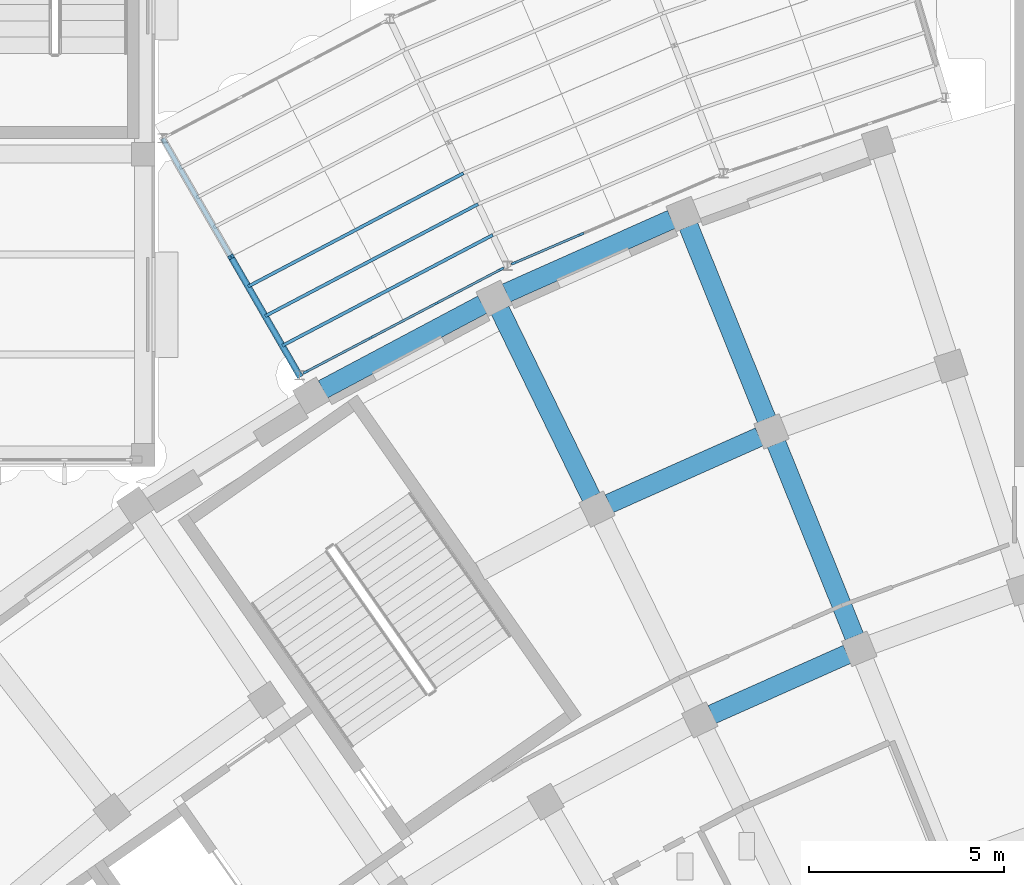
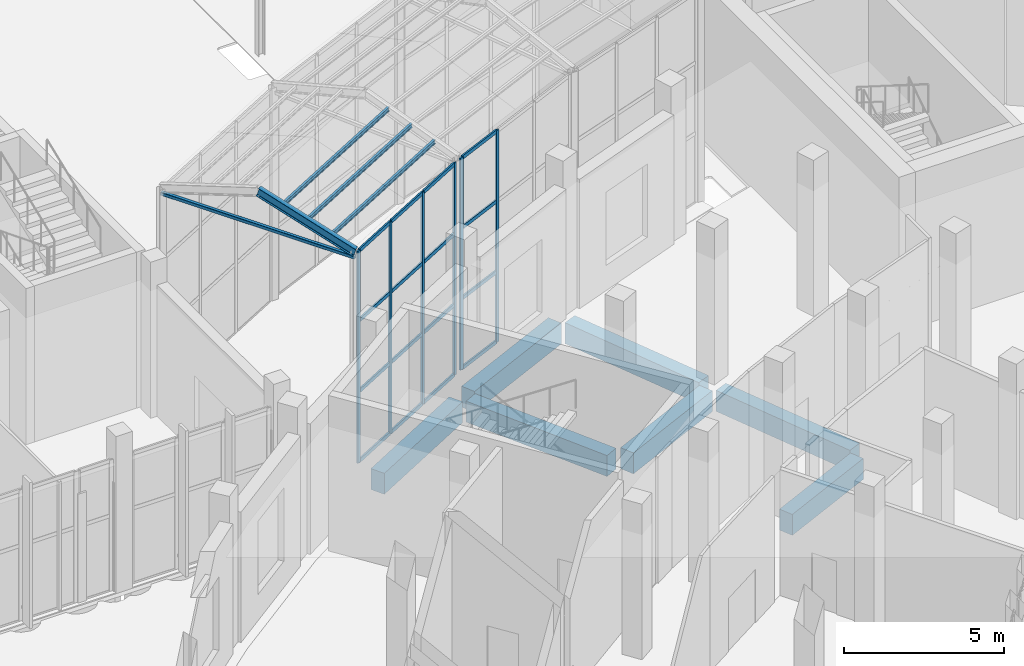
# One storey, part 27 of 155: 25 members, 9 beams, 2 elements without a shape of their own.
"""IFC4 building model written with IfcOpenShell, lengths in metres."""

from ifc_helpers import new_model, si_unit, direction, frame, origin, origin_2d, place, context, subcontext, project, spatial, rectangle, hollow_rectangle, i_section, extrude, material, layer, layer_set, material_profile, profile_set, type_object, element, aggregate, save


model = new_model("IFC4")

# Units and contexts
model_context = context("Model", 3, precision=1e-05, world=origin(), true_north=direction((0.0, 1.0)))
body_context = subcontext(model_context, "Body", "Model", "MODEL_VIEW")
ifc_project = project(units=[si_unit("LENGTHUNIT", "METRE"), si_unit("AREAUNIT", "SQUARE_METRE"), si_unit("VOLUMEUNIT", "CUBIC_METRE"), si_unit("PLANEANGLEUNIT", "RADIAN"), si_unit("MASSUNIT", "GRAM", prefix="KILO")], contexts=[model_context])

# Site, building, storey
site_placement = place(None, origin())
site = spatial("IfcSite", under=ifc_project, at=site_placement, CompositionType="ELEMENT")
building_placement = place(site_placement, origin())
building = spatial("IfcBuilding", under=site, at=building_placement, Name="Lunette Opera House", CompositionType="ELEMENT")
storey_placement = place(building_placement, origin())
storey = spatial("IfcBuildingStorey", under=building, at=storey_placement, Name="L00", CompositionType="ELEMENT", Elevation=0.0)

# Curtain wall, members
ifc_material_1 = material(Name="Aluminium", Category="aluminium")
ifc_layer = layer(ifc_material_1, 0.139892578125)
ifc_layer_set = layer_set([ifc_layer], Name="Aluminium")
curtain_wall_type = type_object("IfcCurtainWallType", Name="PASSAGE CURTAIN WALL", PredefinedType="NOTDEFINED", material=ifc_layer_set)
curtain_wall_1_placement = place(storey_placement, origin())
curtain_wall_1 = element("IfcCurtainWall", 1, at=curtain_wall_1_placement, inside=storey, type_object=curtain_wall_type, Name="Passage Curtain Wall WI1 L00", PredefinedType="NOTDEFINED")
ifc_material_2 = material(Name="Aluminium", Category="aluminium")
ifc_material_profile_1 = material_profile(ifc_material_2, rectangle(XDim=0.06005859375, YDim=0.139892578125, at=origin_2d()), Name="MULLION 60 X 140")
ifc_profile_set_1 = profile_set([ifc_material_profile_1], Name="Aluminium")
member_type_1 = type_object("IfcMemberType", Name="MULLION 60 X 140", PredefinedType="MULLION", material=ifc_profile_set_1)
member_1_placement = place(storey_placement, frame((57.859619140625, 66.421875, 0.0), z_axis=(0.0, 0.0, 1.0), x_axis=(-0.465530027508, 0.885032086135, 0.0)))
member_1 = element("IfcMember", 2, at=member_1_placement, type_object=member_type_1, Name="PP-X2013 mullion 1", PredefinedType="MULLION", context=body_context, shape_type="SweptSolid", body=[
    extrude(rectangle(XDim=0.06005859375, YDim=0.139892578125, at=origin_2d()), origin(), (0.0, 0.0, 1.0), 8.10009765625),
])
member_2_placement = place(storey_placement, frame((59.5185546875, 67.294677734375, 0.0), z_axis=(0.0, 0.0, 1.0), x_axis=(-0.465530027508, 0.885032086135, 0.0)))
member_2 = element("IfcMember", 3, at=member_2_placement, type_object=member_type_1, Name="PP-X2013 mullion 2", PredefinedType="MULLION", context=body_context, shape_type="SweptSolid", body=[
    extrude(rectangle(XDim=0.06005859375, YDim=0.139892578125, at=origin_2d()), origin(), (0.0, 0.0, 1.0), 8.10009765625),
])
member_3_placement = place(storey_placement, frame((61.204345703125, 68.181396484375, 0.0), z_axis=(0.0, 0.0, 1.0), x_axis=(-0.465530027508, 0.885032086135, 0.0)))
member_3 = element("IfcMember", 4, at=member_3_placement, type_object=member_type_1, Name="PP-X2013 mullion 3", PredefinedType="MULLION", context=body_context, shape_type="SweptSolid", body=[
    extrude(rectangle(XDim=0.06005859375, YDim=0.139892578125, at=origin_2d()), origin(), (0.0, 0.0, 1.0), 8.10009765625),
])
member_4_placement = place(storey_placement, frame((62.863525390625, 69.053955078125, 0.0), z_axis=(0.0, 0.0, 1.0), x_axis=(-0.465530027508, 0.885032086135, 0.0)))
member_4 = element("IfcMember", 5, at=member_4_placement, type_object=member_type_1, Name="PP-X2013 mullion 4", PredefinedType="MULLION", context=body_context, shape_type="SweptSolid", body=[
    extrude(rectangle(XDim=0.06005859375, YDim=0.139892578125, at=origin_2d()), origin(), (0.0, 0.0, 1.0), 8.10009765625),
])

curtain_wall_2_placement = place(storey_placement, origin())
curtain_wall_2 = element("IfcCurtainWall", 6, at=curtain_wall_2_placement, inside=storey, type_object=curtain_wall_type, Name="Passage Curtain Wall WI2 L00", PredefinedType="NOTDEFINED")
member_5_placement = place(storey_placement, frame((63.1884765625, 69.208740234375, 0.0), z_axis=(0.0, 0.0, 1.0), x_axis=(-0.394806198015, 0.918764423565, 0.0)))
member_5 = element("IfcMember", 7, at=member_5_placement, type_object=member_type_1, Name="PP-X2014 mullion 1", PredefinedType="MULLION", context=body_context, shape_type="SweptSolid", body=[
    extrude(rectangle(XDim=0.06005859375, YDim=0.139892578125, at=origin_2d()), origin(), (0.0, 0.0, 1.0), 8.10009765625),
])
member_6_placement = place(storey_placement, frame((64.910888671875, 69.948974609375, 0.0), z_axis=(0.0, 0.0, 1.0), x_axis=(-0.394806198015, 0.918764423565, 0.0)))
member_6 = element("IfcMember", 8, at=member_6_placement, type_object=member_type_1, Name="PP-X2014 mullion 2", PredefinedType="MULLION", context=body_context, shape_type="SweptSolid", body=[
    extrude(rectangle(XDim=0.06005859375, YDim=0.139892578125, at=origin_2d()), origin(), (0.0, 0.0, 1.0), 8.10009765625),
])

# Members
ifc_material_3 = material(Name="Steel S355", Category="steel")
ifc_material_profile_2 = material_profile(ifc_material_3, i_section(OverallWidth=0.08203125, OverallDepth=0.159912109375, WebThickness=0.0048828125, FlangeThickness=0.00732421875, FilletRadius=0.009033203125, at=origin_2d()), Name="IPE 160")
ifc_profile_set_2 = profile_set([ifc_material_profile_2], Name="Steel S355")
member_type_2 = type_object("IfcMemberType", Name="PURLIN IPE 160", PredefinedType="PURLIN", material=ifc_profile_set_2)
member_7_placement = place(storey_placement, frame((57.262939453125, 67.095947265625, 8.47509765625), z_axis=(0.88499656983, 0.465597542293, 0.0), x_axis=(-0.465597542293, 0.88499656983, 0.0)))
element("IfcMember", 9, at=member_7_placement, inside=storey, type_object=member_type_2, Name="mem-PP-L00-PU1A1", PredefinedType="PURLIN", context=body_context, shape_type="SweptSolid", body=[
    extrude(i_section(OverallWidth=0.08203125, OverallDepth=0.159912109375, WebThickness=0.0048828125, FlangeThickness=0.00732421875, FilletRadius=0.009033203125, at=origin_2d()), origin(), (0.0, 0.0, 1.0), 6.08251953125),
])
member_8_placement = place(storey_placement, frame((56.824951171875, 67.85302734375, 8.75), z_axis=(0.884974163375, 0.465640129454, 0.0), x_axis=(-0.465640129454, 0.884974163375, 0.0)))
element("IfcMember", 10, at=member_8_placement, inside=storey, type_object=member_type_2, Name="mem-PP-L00-PU1A2", PredefinedType="PURLIN", context=body_context, shape_type="SweptSolid", body=[
    extrude(i_section(OverallWidth=0.08203125, OverallDepth=0.159912109375, WebThickness=0.0048828125, FlangeThickness=0.00732421875, FilletRadius=0.009033203125, at=origin_2d()), origin(), (0.0, 0.0, 1.0), 6.15283203125),
])
member_9_placement = place(storey_placement, frame((56.387939453125, 68.611083984375, 9.02490234375), z_axis=(0.885013558016, 0.46556525013, 0.0), x_axis=(-0.46556525013, 0.885013558016, 0.0)))
element("IfcMember", 11, at=member_9_placement, inside=storey, type_object=member_type_2, Name="mem-PP-L00-PU1A3", PredefinedType="PURLIN", context=body_context, shape_type="SweptSolid", body=[
    extrude(i_section(OverallWidth=0.08203125, OverallDepth=0.159912109375, WebThickness=0.0048828125, FlangeThickness=0.00732421875, FilletRadius=0.009033203125, at=origin_2d()), origin(), (0.0, 0.0, 1.0), 6.220458984375),
])

# Beams
ifc_material_4 = material(Name="Concrete C35/45", Category="concrete")
ifc_material_profile_3 = material_profile(ifc_material_4, rectangle(XDim=0.5, YDim=0.800048828125, at=origin_2d()), Name="RC BEAM 500X800")
ifc_profile_set_3 = profile_set([ifc_material_profile_3], Name="Concrete C35/45")
beam_type_1 = type_object("IfcBeamType", Name="RC BEAM 500X800", PredefinedType="BEAM", material=ifc_profile_set_3)
for number, where, z_axis, x_axis, name in (
    (12, (65.1650390625, 63.220947265625, -0.6201171875), (-0.438325987036, 0.898816070778, 0.0), (-0.898816070778, -0.438325987036, 0.0), "beam-FC-L00-L00-RB-RL-07-4"),
    (13, (71.89794921875, 59.655029296875, -0.6201171875), (-0.374592790276, 0.927189431278, 0.0), (-0.927189431278, -0.374592790276, 0.0), "beam-FC-L00-L00-RB-RL-08-3"),
    (14, (69.64990234375, 65.218017578125, -0.6201171875), (-0.374592790276, 0.927189431278, 0.0), (-0.927189431278, -0.374592790276, 0.0), "beam-FC-L00-L00-RB-RL-08-4"),
):
    element("IfcBeam", number, at=place(storey_placement, frame(where, z_axis=z_axis, x_axis=x_axis)), inside=storey, type_object=beam_type_1, Name=name, PredefinedType="BEAM", context=body_context, shape_type="SweptSolid", body=[
        extrude(rectangle(XDim=0.5, YDim=0.800048828125, at=origin_2d()), origin(), (0.0, 0.0, 1.0), 5.3203125),
    ])
beam_1_placement = place(storey_placement, frame((68.2548828125, 57.660888671875, -0.6201171875), z_axis=(0.913460283837, 0.406927892694, 0.0), x_axis=(-0.406927892694, 0.913460283837, 0.0)))
element("IfcBeam", 15, at=beam_1_placement, inside=storey, type_object=beam_type_1, Name="beam-FC-L00-L00-RG-AR-B-RL-07", PredefinedType="BEAM", context=body_context, shape_type="SweptSolid", body=[
    extrude(rectangle(XDim=0.5, YDim=0.800048828125, at=origin_2d()), origin(), (0.0, 0.0, 1.0), 3.786865234375),
])
beam_2_placement = place(storey_placement, frame((65.625, 63.053955078125, -0.6201171875), z_axis=(0.913514477547, 0.40680621838, 0.0), x_axis=(-0.40680621838, 0.913514477547, 0.0)))
element("IfcBeam", 16, at=beam_2_placement, inside=storey, type_object=beam_type_1, Name="beam-FC-L00-L00-RG-AR-M2-RL-07", PredefinedType="BEAM", context=body_context, shape_type="SweptSolid", body=[
    extrude(rectangle(XDim=0.5, YDim=0.800048828125, at=origin_2d()), origin(), (0.0, 0.0, 1.0), 4.205810546875),
])
beam_3_placement = place(storey_placement, frame((58.300048828125, 65.97802734375, -0.6201171875), z_axis=(0.883088377591, 0.469206689385, 0.0), x_axis=(-0.469206689385, 0.883088377591, 0.0)))
element("IfcBeam", 17, at=beam_3_placement, inside=storey, type_object=beam_type_1, Name="beam-FC-L00-L00-RG-AR-C-RL-06", PredefinedType="BEAM", context=body_context, shape_type="SweptSolid", body=[
    extrude(rectangle(XDim=0.5, YDim=0.800048828125, at=origin_2d()), origin(), (0.0, 0.0, 1.0), 4.624755859375),
])
beam_4_placement = place(storey_placement, frame((62.9951171875, 68.446044921875, -0.6201171875), z_axis=(0.913445407315, 0.406961285451, 0.0), x_axis=(-0.406961285451, 0.913445407315, 0.0)))
element("IfcBeam", 18, at=beam_4_placement, inside=storey, type_object=beam_type_1, Name="beam-FC-L00-L00-RG-AR-C-RL-07", PredefinedType="BEAM", context=body_context, shape_type="SweptSolid", body=[
    extrude(rectangle(XDim=0.5, YDim=0.800048828125, at=origin_2d()), origin(), (0.0, 0.0, 1.0), 4.6240234375),
])
ifc_material_5 = material(Name="Steel S355", Category="steel")
ifc_material_profile_4 = material_profile(ifc_material_5, i_section(OverallWidth=0.159912109375, OverallDepth=0.330078125, WebThickness=0.007568359375, FlangeThickness=0.011474609375, FilletRadius=0.01806640625, at=origin_2d()), Name="IPE 330")
ifc_profile_set_4 = profile_set([ifc_material_profile_4], Name="Steel S355")
beam_type_2 = type_object("IfcBeamType", Name="STEEL BEAM IPE 330", PredefinedType="BEAM", material=ifc_profile_set_4)
beam_5_placement = place(storey_placement, frame((57.699951171875, 66.337890625, 8.14990234375), z_axis=(-0.477001972732, 0.826169013877, 0.299856429845), x_axis=(-0.866019471182, -0.500010275428, 0.0)))
element("IfcBeam", 19, at=beam_5_placement, inside=storey, type_object=beam_type_2, Name="beam-PP-L00-RF1A", PredefinedType="BEAM", context=body_context, shape_type="SweptSolid", body=[
    extrude(i_section(OverallWidth=0.159912109375, OverallDepth=0.330078125, WebThickness=0.007568359375, FlangeThickness=0.011474609375, FilletRadius=0.01806640625, at=origin_2d()), origin(), (0.0, 0.0, 1.0), 3.668701171875),
])
ifc_material_6 = material(Name="Steel S355", Category="steel")
ifc_material_profile_5 = material_profile(ifc_material_6, hollow_rectangle(XDim=0.1201171875, YDim=0.1201171875, WallThickness=0.006103515625, InnerFilletRadius=0.006103515625, OuterFilletRadius=0.011962890625, at=origin_2d()), Name="RHS 120X120X6")
ifc_profile_set_5 = profile_set([ifc_material_profile_5], Name="Steel S355")
beam_type_3 = type_object("IfcBeamType", Name="STEEL BEAM RHS 120X120X6", PredefinedType="BEAM", material=ifc_profile_set_5)
beam_6_placement = place(storey_placement, frame((57.699951171875, 66.337890625, 7.949951171875), z_axis=(-0.500010275428, 0.866019471182, 0.0), x_axis=(-0.866019471182, -0.500010275428, 0.0)))
element("IfcBeam", 20, at=beam_6_placement, inside=storey, type_object=beam_type_3, Name="beam-PP-L00-TI1", PredefinedType="BEAM", context=body_context, shape_type="SweptSolid", body=[
    extrude(hollow_rectangle(XDim=0.1201171875, YDim=0.1201171875, WallThickness=0.006103515625, InnerFilletRadius=0.006103515625, OuterFilletRadius=0.011962890625, at=origin_2d()), origin(), (0.0, 0.0, 1.0), 6.999755859375),
])

# Member
ifc_material_7 = material(Name="Aluminium", Category="aluminium")
ifc_material_profile_6 = material_profile(ifc_material_7, rectangle(XDim=0.06005859375, YDim=0.139892578125, at=origin_2d()), Name="TRANSOM 60 X 140")
ifc_profile_set_6 = profile_set([ifc_material_profile_6], Name="Aluminium")
member_type_3 = type_object("IfcMemberType", Name="TRANSOM 60 X 140", PredefinedType="USERDEFINED", material=ifc_profile_set_6)
member_10_placement = place(storey_placement, frame((57.885986328125, 66.43603515625, 0.030029296875), z_axis=(0.885064088572, 0.465469181708, 0.0), x_axis=(-0.465469181708, 0.885064088572, 0.0)))
member_10 = element("IfcMember", 21, at=member_10_placement, type_object=member_type_3, Name="PP-X2013 transom 1.1", ObjectType="TRANSOM", PredefinedType="USERDEFINED", context=body_context, shape_type="SweptSolid", body=[
    extrude(rectangle(XDim=0.06005859375, YDim=0.139892578125, at=origin_2d()), origin(), (0.0, 0.0, 1.0), 1.814697265625),
])

member_11_placement = place(storey_placement, frame((57.885986328125, 66.43603515625, 2.699951171875), z_axis=(0.885064088572, 0.465469181708, 0.0), x_axis=(-0.465469181708, 0.885064088572, 0.0)))
member_11 = element("IfcMember", 22, at=member_11_placement, type_object=member_type_3, Name="PP-X2013 transom 1.2", ObjectType="TRANSOM", PredefinedType="USERDEFINED", context=body_context, shape_type="SweptSolid", body=[
    extrude(rectangle(XDim=0.06005859375, YDim=0.139892578125, at=origin_2d()), origin(), (0.0, 0.0, 1.0), 1.814697265625),
])

member_12_placement = place(storey_placement, frame((57.885986328125, 66.43603515625, 5.39990234375), z_axis=(0.885064088572, 0.465469181708, 0.0), x_axis=(-0.465469181708, 0.885064088572, 0.0)))
member_12 = element("IfcMember", 23, at=member_12_placement, type_object=member_type_3, Name="PP-X2013 transom 1.3", ObjectType="TRANSOM", PredefinedType="USERDEFINED", context=body_context, shape_type="SweptSolid", body=[
    extrude(rectangle(XDim=0.06005859375, YDim=0.139892578125, at=origin_2d()), origin(), (0.0, 0.0, 1.0), 1.814697265625),
])

member_13_placement = place(storey_placement, frame((57.885986328125, 66.43603515625, 8.070068359375), z_axis=(0.885064088572, 0.465469181708, 0.0), x_axis=(-0.465469181708, 0.885064088572, 0.0)))
member_13 = element("IfcMember", 24, at=member_13_placement, type_object=member_type_3, Name="PP-X2013 transom 1.4", ObjectType="TRANSOM", PredefinedType="USERDEFINED", context=body_context, shape_type="SweptSolid", body=[
    extrude(rectangle(XDim=0.06005859375, YDim=0.139892578125, at=origin_2d()), origin(), (0.0, 0.0, 1.0), 1.814697265625),
])

member_14_placement = place(storey_placement, frame((59.545166015625, 67.30859375, 0.030029296875), z_axis=(0.884998592971, 0.465593696736, 0.0), x_axis=(-0.465593696736, 0.884998592971, 0.0)))
member_14 = element("IfcMember", 25, at=member_14_placement, type_object=member_type_3, Name="PP-X2013 transom 2.1", ObjectType="TRANSOM", PredefinedType="USERDEFINED", context=body_context, shape_type="SweptSolid", body=[
    extrude(rectangle(XDim=0.06005859375, YDim=0.139892578125, at=origin_2d()), origin(), (0.0, 0.0, 1.0), 1.8447265625),
])

member_15_placement = place(storey_placement, frame((59.545166015625, 67.30859375, 2.699951171875), z_axis=(0.884998592971, 0.465593696736, 0.0), x_axis=(-0.465593696736, 0.884998592971, 0.0)))
member_15 = element("IfcMember", 26, at=member_15_placement, type_object=member_type_3, Name="PP-X2013 transom 2.2", ObjectType="TRANSOM", PredefinedType="USERDEFINED", context=body_context, shape_type="SweptSolid", body=[
    extrude(rectangle(XDim=0.06005859375, YDim=0.139892578125, at=origin_2d()), origin(), (0.0, 0.0, 1.0), 1.8447265625),
])

member_16_placement = place(storey_placement, frame((59.545166015625, 67.30859375, 5.39990234375), z_axis=(0.884998592971, 0.465593696736, 0.0), x_axis=(-0.465593696736, 0.884998592971, 0.0)))
member_16 = element("IfcMember", 27, at=member_16_placement, type_object=member_type_3, Name="PP-X2013 transom 2.3", ObjectType="TRANSOM", PredefinedType="USERDEFINED", context=body_context, shape_type="SweptSolid", body=[
    extrude(rectangle(XDim=0.06005859375, YDim=0.139892578125, at=origin_2d()), origin(), (0.0, 0.0, 1.0), 1.8447265625),
])

member_17_placement = place(storey_placement, frame((59.545166015625, 67.30859375, 8.070068359375), z_axis=(0.884998592971, 0.465593696736, 0.0), x_axis=(-0.465593696736, 0.884998592971, 0.0)))
member_17 = element("IfcMember", 28, at=member_17_placement, type_object=member_type_3, Name="PP-X2013 transom 2.4", ObjectType="TRANSOM", PredefinedType="USERDEFINED", context=body_context, shape_type="SweptSolid", body=[
    extrude(rectangle(XDim=0.06005859375, YDim=0.139892578125, at=origin_2d()), origin(), (0.0, 0.0, 1.0), 1.8447265625),
])

member_18_placement = place(storey_placement, frame((61.23095703125, 68.1953125, 0.030029296875), z_axis=(0.885034936175, 0.465524609177, 0.0), x_axis=(-0.465524609177, 0.885034936175, 0.0)))
member_18 = element("IfcMember", 29, at=member_18_placement, type_object=member_type_3, Name="PP-X2013 transom 3.1", ObjectType="TRANSOM", PredefinedType="USERDEFINED", context=body_context, shape_type="SweptSolid", body=[
    extrude(rectangle(XDim=0.06005859375, YDim=0.139892578125, at=origin_2d()), origin(), (0.0, 0.0, 1.0), 1.814453125),
])

member_19_placement = place(storey_placement, frame((61.23095703125, 68.1953125, 2.699951171875), z_axis=(0.885034936175, 0.465524609177, 0.0), x_axis=(-0.465524609177, 0.885034936175, 0.0)))
member_19 = element("IfcMember", 30, at=member_19_placement, type_object=member_type_3, Name="PP-X2013 transom 3.2", ObjectType="TRANSOM", PredefinedType="USERDEFINED", context=body_context, shape_type="SweptSolid", body=[
    extrude(rectangle(XDim=0.06005859375, YDim=0.139892578125, at=origin_2d()), origin(), (0.0, 0.0, 1.0), 1.814453125),
])

member_20_placement = place(storey_placement, frame((61.23095703125, 68.1953125, 5.39990234375), z_axis=(0.885034936175, 0.465524609177, 0.0), x_axis=(-0.465524609177, 0.885034936175, 0.0)))
member_20 = element("IfcMember", 31, at=member_20_placement, type_object=member_type_3, Name="PP-X2013 transom 3.3", ObjectType="TRANSOM", PredefinedType="USERDEFINED", context=body_context, shape_type="SweptSolid", body=[
    extrude(rectangle(XDim=0.06005859375, YDim=0.139892578125, at=origin_2d()), origin(), (0.0, 0.0, 1.0), 1.814453125),
])

member_21_placement = place(storey_placement, frame((61.23095703125, 68.1953125, 8.070068359375), z_axis=(0.885034936175, 0.465524609177, 0.0), x_axis=(-0.465524609177, 0.885034936175, 0.0)))
member_21 = element("IfcMember", 32, at=member_21_placement, type_object=member_type_3, Name="PP-X2013 transom 3.4", ObjectType="TRANSOM", PredefinedType="USERDEFINED", context=body_context, shape_type="SweptSolid", body=[
    extrude(rectangle(XDim=0.06005859375, YDim=0.139892578125, at=origin_2d()), origin(), (0.0, 0.0, 1.0), 1.814453125),
])

aggregate(curtain_wall_1, [member_1, member_2, member_3, member_4, member_10, member_11, member_12, member_13, member_14, member_15, member_16, member_17, member_18, member_19, member_20, member_21])

member_22_placement = place(storey_placement, frame((63.216064453125, 69.220703125, 0.030029296875), z_axis=(0.918761914119, 0.394812037766, 0.0), x_axis=(-0.394812037766, 0.918761914119, 0.0)))
member_22 = element("IfcMember", 33, at=member_22_placement, type_object=member_type_3, Name="PP-X2014 transom 1.1", ObjectType="TRANSOM", PredefinedType="USERDEFINED", context=body_context, shape_type="SweptSolid", body=[
    extrude(rectangle(XDim=0.06005859375, YDim=0.139892578125, at=origin_2d()), origin(), (0.0, 0.0, 1.0), 1.81494140625),
])

member_23_placement = place(storey_placement, frame((63.216064453125, 69.220703125, 2.699951171875), z_axis=(0.918761914119, 0.394812037766, 0.0), x_axis=(-0.394812037766, 0.918761914119, 0.0)))
member_23 = element("IfcMember", 34, at=member_23_placement, type_object=member_type_3, Name="PP-X2014 transom 1.2", ObjectType="TRANSOM", PredefinedType="USERDEFINED", context=body_context, shape_type="SweptSolid", body=[
    extrude(rectangle(XDim=0.06005859375, YDim=0.139892578125, at=origin_2d()), origin(), (0.0, 0.0, 1.0), 1.81494140625),
])

member_24_placement = place(storey_placement, frame((63.216064453125, 69.220703125, 5.39990234375), z_axis=(0.918761914119, 0.394812037766, 0.0), x_axis=(-0.394812037766, 0.918761914119, 0.0)))
member_24 = element("IfcMember", 35, at=member_24_placement, type_object=member_type_3, Name="PP-X2014 transom 1.3", ObjectType="TRANSOM", PredefinedType="USERDEFINED", context=body_context, shape_type="SweptSolid", body=[
    extrude(rectangle(XDim=0.06005859375, YDim=0.139892578125, at=origin_2d()), origin(), (0.0, 0.0, 1.0), 1.81494140625),
])

member_25_placement = place(storey_placement, frame((63.216064453125, 69.220703125, 8.070068359375), z_axis=(0.918761914119, 0.394812037766, 0.0), x_axis=(-0.394812037766, 0.918761914119, 0.0)))
member_25 = element("IfcMember", 36, at=member_25_placement, type_object=member_type_3, Name="PP-X2014 transom 1.4", ObjectType="TRANSOM", PredefinedType="USERDEFINED", context=body_context, shape_type="SweptSolid", body=[
    extrude(rectangle(XDim=0.06005859375, YDim=0.139892578125, at=origin_2d()), origin(), (0.0, 0.0, 1.0), 1.81494140625),
])

aggregate(curtain_wall_2, [member_5, member_6, member_22, member_23, member_24, member_25])

save(model, "model.ifc")
